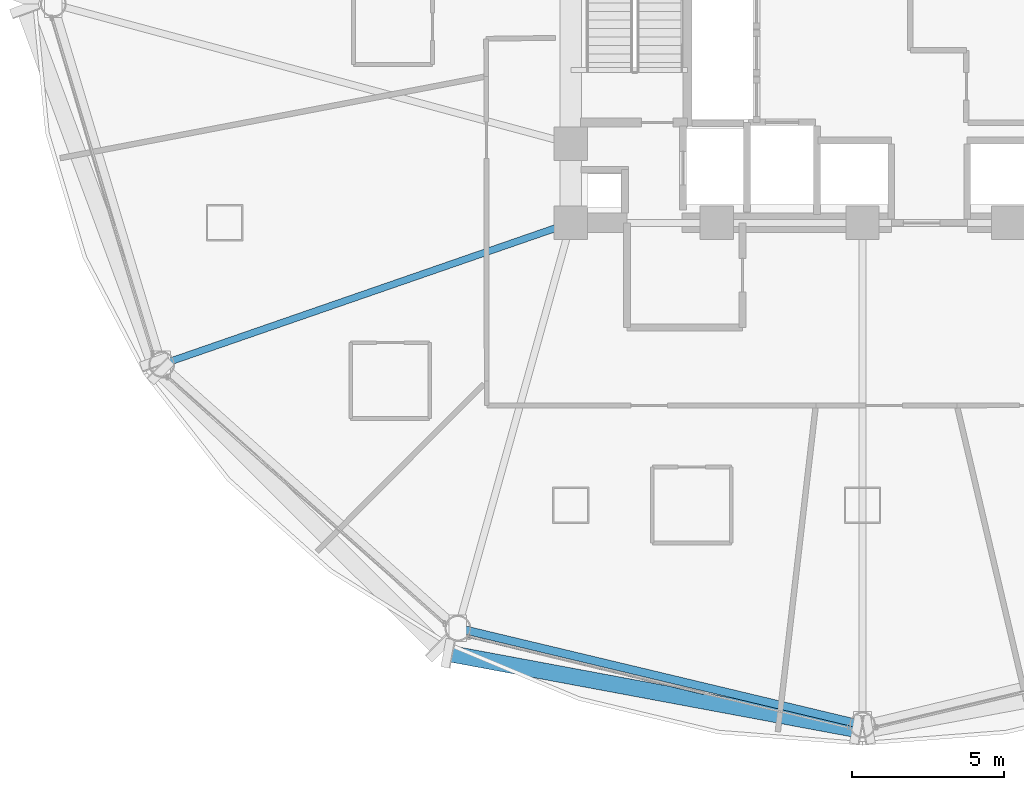
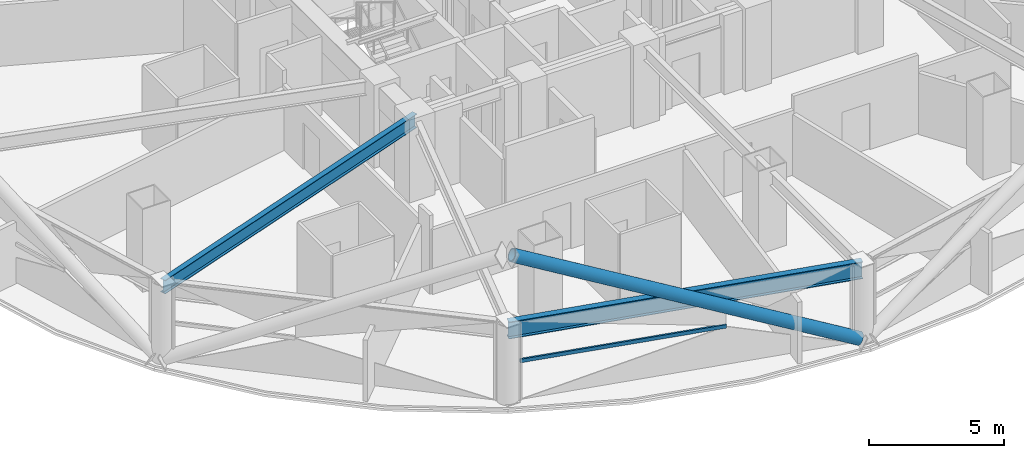
# One storey, part 3 of 30: 2 beams, 2 members, 1 element without a shape of its own.
"""IFC4 building model written with IfcOpenShell, lengths in metres."""

from ifc_helpers import new_model, si_unit, direction, frame, origin, origin_2d, place, context, subcontext, project, spatial, hollow_rectangle, hollow_circle, i_section, extrude, material, layer, layer_set, material_profile, profile_set, type_object, element, aggregate, save


model = new_model("IFC4")

# Units and contexts
model_context = context("Model", 3, precision=1e-05, world=origin(), true_north=direction((0.0, 1.0)))
body_context = subcontext(model_context, "Body", "Model", "MODEL_VIEW")
ifc_project = project(units=[si_unit("LENGTHUNIT", "METRE"), si_unit("AREAUNIT", "SQUARE_METRE"), si_unit("VOLUMEUNIT", "CUBIC_METRE"), si_unit("PLANEANGLEUNIT", "RADIAN"), si_unit("MASSUNIT", "GRAM", prefix="KILO")], contexts=[model_context])

# Site, building, storey
site_placement = place(None, origin())
site = spatial("IfcSite", under=ifc_project, at=site_placement, CompositionType="ELEMENT")
building_placement = place(site_placement, origin())
building = spatial("IfcBuilding", under=site, at=building_placement, Name="Vantalir Tower", CompositionType="ELEMENT")
storey_placement = place(building_placement, frame((0.0, 0.0, 49.5)))
storey = spatial("IfcBuildingStorey", under=building, at=storey_placement, Name="L11", CompositionType="ELEMENT", Elevation=49.5)

# Beams
ifc_material_1 = material(Name="Steel S355", Category="steel")
ifc_material_profile_1 = material_profile(ifc_material_1, i_section(OverallWidth=0.22998046875, OverallDepth=0.616943359375, WebThickness=0.01318359375, FlangeThickness=0.022216796875, at=origin_2d()), Name="Steel S355")
ifc_profile_set_1 = profile_set([ifc_material_profile_1], Name="Steel S355")
beam_type_1 = type_object("IfcBeamType", Name="BM-RB-610x229", PredefinedType="BEAM", material=ifc_profile_set_1)
beam_1_placement = place(storey_placement, frame((8.429931640625, 13.136962890625, 3.261962890625), z_axis=(0.944977317019, 0.327135859117, 0.0), x_axis=(-0.327135859117, 0.944977317019, 0.0)))
element("IfcBeam", 1, at=beam_1_placement, inside=storey, type_object=beam_type_1, Name="L11 Radial Floor Beam 08", PredefinedType="BEAM", context=body_context, shape_type="SweptSolid", body=[
    extrude(i_section(OverallWidth=0.22998046875, OverallDepth=0.616943359375, WebThickness=0.01318359375, FlangeThickness=0.022216796875, at=origin_2d()), origin(), (0.0, 0.0, 1.0), 14.25439453125),
])
ifc_material_2 = material(Name="Steel S460", Category="steel")
ifc_material_profile_2 = material_profile(ifc_material_2, i_section(OverallWidth=0.26806640625, OverallDepth=0.77001953125, WebThickness=0.015625, FlangeThickness=0.025390625, at=origin_2d()), Name="Steel S460")
ifc_profile_set_2 = profile_set([ifc_material_profile_2], Name="Steel S460")
beam_type_2 = type_object("IfcBeamType", Name="BM-RG-762x267", PredefinedType="USERDEFINED", material=ifc_profile_set_2)
beam_2_placement = place(storey_placement, frame((18.179931640625, 4.452880859375, 3.18505859375), z_axis=(0.972682503887, -0.232139498215, 0.0), x_axis=(0.232139498215, 0.972682503887, 0.0)))
element("IfcBeam", 2, at=beam_2_placement, inside=storey, type_object=beam_type_2, Name="L11 Circumferential Ring Girder 09", ObjectType="GIRDER", PredefinedType="USERDEFINED", context=body_context, shape_type="SweptSolid", body=[
    extrude(i_section(OverallWidth=0.26806640625, OverallDepth=0.77001953125, WebThickness=0.015625, FlangeThickness=0.025390625, at=origin_2d()), origin(), (0.0, 0.0, 1.0), 13.694091796875),
])

# Curtain wall, member
ifc_material_3 = material(Name="Champagne-silver PVDF aluminium and double-silver Low-E glass", Category="aluminium")
ifc_layer = layer(ifc_material_3, 0.18994140625)
ifc_layer_set = layer_set([ifc_layer], Name="Champagne-silver PVDF aluminium and double-silver Low-E glass")
curtain_wall_type = type_object("IfcCurtainWallType", Name="CW-DIAMOND-Z1", PredefinedType="USERDEFINED", material=ifc_layer_set)
curtain_wall_placement = place(storey_placement, origin())
curtain_wall = element("IfcCurtainWall", 3, at=curtain_wall_placement, inside=storey, type_object=curtain_wall_type, Name="L11 Quilted Pyramid-Diamond Curtain Wall S09", ObjectType="UNITISED CURTAIN WALL", PredefinedType="USERDEFINED")
ifc_material_4 = material(Name="Champagne-silver PVDF aluminium 6063-T6", Category="aluminium")
ifc_material_profile_3 = material_profile(ifc_material_4, hollow_rectangle(XDim=0.074951171875, YDim=0.159912109375, WallThickness=0.00390625, at=origin_2d()), Name="Champagne-silver PVDF aluminium 6063-T6")
ifc_profile_set_3 = profile_set([ifc_material_profile_3], Name="Champagne-silver PVDF aluminium 6063-T6")
member_type_1 = type_object("IfcMemberType", Name="CWT-160x75", PredefinedType="USERDEFINED", material=ifc_profile_set_3)
member_1_placement = place(storey_placement, frame((18.5419921875, 4.178955078125, 1.784912109375), z_axis=(0.971924881913, -0.235291359636, 0.0), x_axis=(0.235291359636, 0.971924881913, 0.0)))
member_1 = element("IfcMember", 4, at=member_1_placement, type_object=member_type_1, Name="CW-L11-S09 Pyramid Fold Ridge Transom", ObjectType="TRANSOM", PredefinedType="USERDEFINED", context=body_context, shape_type="SweptSolid", body=[
    extrude(hollow_rectangle(XDim=0.074951171875, YDim=0.159912109375, WallThickness=0.00390625, at=origin_2d()), origin(), (0.0, 0.0, 1.0), 7.96875),
])
aggregate(curtain_wall, [member_1])

# Member
ifc_material_profile_4 = material_profile(ifc_material_2, hollow_circle(Radius=0.27001953125, WallThickness=0.044921875, at=origin_2d()), Name="Steel S460")
ifc_profile_set_4 = profile_set([ifc_material_profile_4], Name="Steel S460")
member_type_2 = type_object("IfcMemberType", Name="MEM-DB-540x45", PredefinedType="BRACE", material=ifc_profile_set_4)
member_2_placement = place(storey_placement, frame((31.306884765625, 1.1201171875, 0.179931640625), z_axis=(-0.876008950765, 0.163265692617, 0.453820043403), x_axis=(-0.183219515229, -0.983072026476, 0.0)))
element("IfcMember", 5, at=member_2_placement, inside=storey, type_object=member_type_2, Name="L11 Perimeter S460 Diagrid Brace R28R", PredefinedType="BRACE", context=body_context, shape_type="SweptSolid", body=[
    extrude(hollow_circle(Radius=0.27001953125, WallThickness=0.044921875, at=origin_2d()), origin(), (0.0, 0.0, 1.0), 15.33642578125),
])

save(model, "model.ifc")
